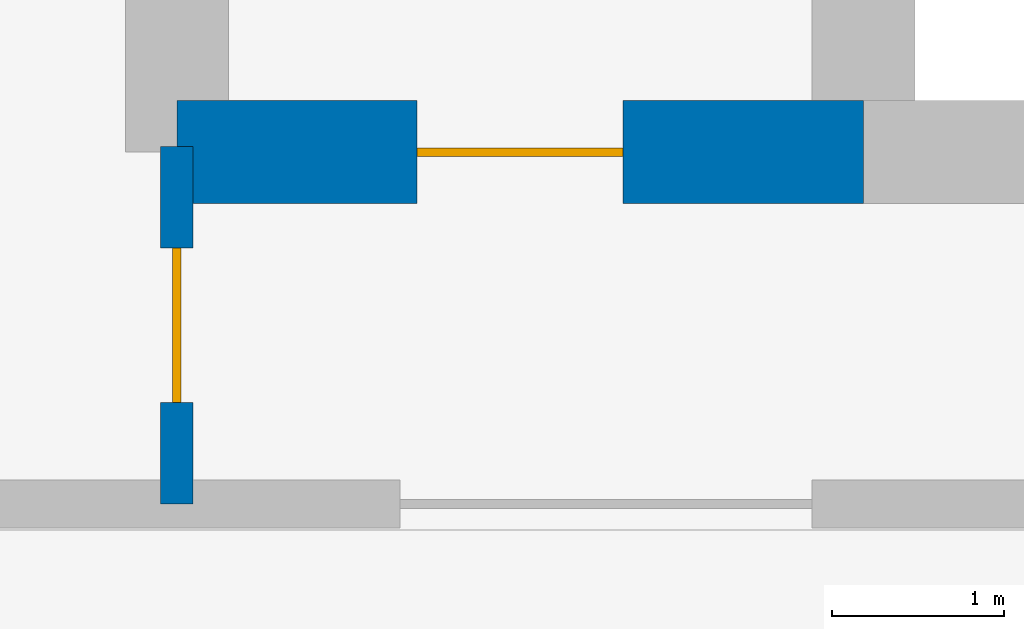
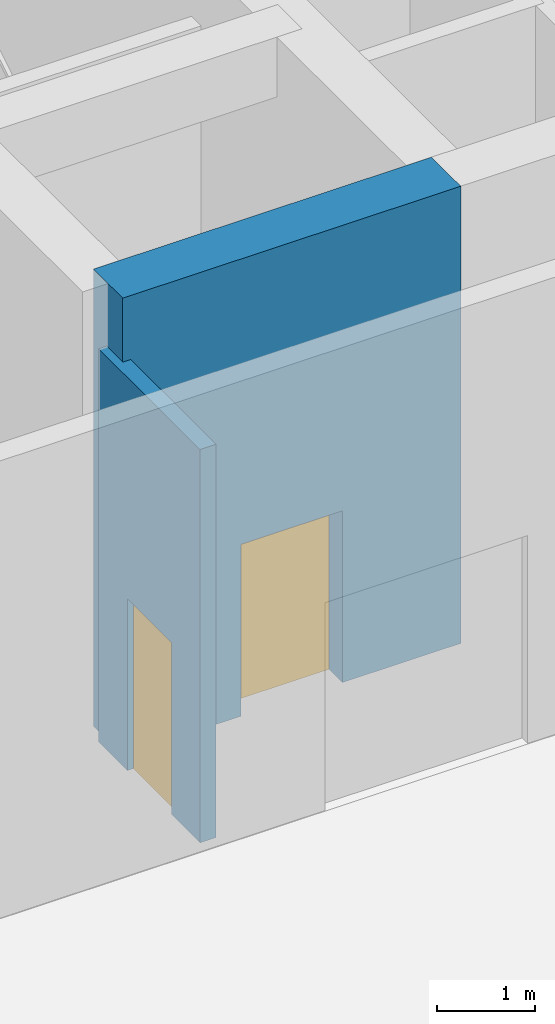
# One storey, part 35 of 49: 2 doors, 2 walls, 2 openings.
"""IFC4 building model written with IfcOpenShell, lengths in metres."""

import ifcopenshell
import ifcopenshell.guid

model = None  # the IFC model being written
_history = None  # IfcOwnerHistory: only IFC2X3 demands one
_inside = {}  # id of a spatial element -> (the spatial element, [elements in it])
_under = {}  # id of a project, library or spatial element -> (it, [spatial elements below it])
_declared = {}  # id of a project -> (the project, [libraries it declares])
_typed = {}  # id of a type object -> (the type object, [elements of that type])
_made_of = {}  # id of a material, layer set ... -> (it, [elements and type objects made of it])


def new_model(schema):
    """Start an empty IFC model of exactly this schema.

    Asked for "IFC4X3", IfcOpenShell would pick the latest addendum, in which some entities
    have other attributes; the version numbers below select the first issue.
    IFC2X3 requires an IfcOwnerHistory on every rooted entity: one is made here for all.
    """
    global model, _history
    if schema == "IFC4X3":
        model = ifcopenshell.file(schema_version=(4, 3, 0, 0))
    else:
        model = ifcopenshell.file(schema=schema)
    _inside.clear()
    _under.clear()
    _declared.clear()
    _typed.clear()
    _made_of.clear()
    _history = None
    if model.schema == "IFC2X3":
        org = make("IfcOrganization", Name="unknown")
        user = make(
            "IfcPersonAndOrganization",
            ThePerson=make("IfcPerson", FamilyName="unknown"),
            TheOrganization=org,
        )
        app = make(
            "IfcApplication",
            ApplicationDeveloper=org,
            Version="unknown",
            ApplicationFullName="unknown",
            ApplicationIdentifier="unknown",
        )
        _history = make(
            "IfcOwnerHistory",
            OwningUser=user,
            OwningApplication=app,
            ChangeAction="ADDED",
            CreationDate=0,
        )
    return model


def make(cls, **values):
    """One entity of the class cls with the attributes given. An attribute that is None is left unset."""
    return model.create_entity(
        cls, **{name: value for name, value in values.items() if value is not None}
    )


def rooted(cls, **values):
    """An entity with a GlobalId (a new one), such as an element, a storey or a relation."""
    return make(cls, GlobalId=ifcopenshell.guid.new(), OwnerHistory=_history, **values)


def si_unit(unit_type, name, prefix=None):
    """IfcSIUnit, for example si_unit("LENGTHUNIT", "METRE", prefix="MILLI")."""
    return make("IfcSIUnit", UnitType=unit_type, Prefix=prefix, Name=name)


def assignment(units):
    """IfcUnitAssignment: the units of a project."""
    return None if units is None else make("IfcUnitAssignment", Units=units)


def point(xyz):
    """IfcCartesianPoint."""
    return None if xyz is None else make("IfcCartesianPoint", Coordinates=xyz)


def direction(xyz):
    """IfcDirection."""
    return None if xyz is None else make("IfcDirection", DirectionRatios=xyz)


def frame(location, z_axis=None, x_axis=None):
    """IfcAxis2Placement3D, a coordinate frame: its origin and axes. An axis left out is left unset."""
    return make(
        "IfcAxis2Placement3D",
        Location=point(location),
        Axis=direction(z_axis),
        RefDirection=direction(x_axis),
    )


def frame_2d(location, x_axis=None):
    """IfcAxis2Placement2D, a coordinate frame in the plane: its origin and x axis."""
    return make(
        "IfcAxis2Placement2D", Location=point(location), RefDirection=direction(x_axis)
    )


def origin():
    """The frame at (0, 0, 0) with its axes left unset."""
    return frame((0.0, 0.0, 0.0))


def place(relative_to, where):
    """IfcLocalPlacement: puts the frame where relative to a parent placement (None: the world)."""
    return make(
        "IfcLocalPlacement", PlacementRelTo=relative_to, RelativePlacement=where
    )


def context(
    kind, dimensions, precision=None, world=None, true_north=None, identifier=None
):
    """IfcGeometricRepresentationContext, for example the 3D "Model" context."""
    return make(
        "IfcGeometricRepresentationContext",
        ContextIdentifier=identifier,
        ContextType=kind,
        CoordinateSpaceDimension=dimensions,
        Precision=precision,
        WorldCoordinateSystem=world,
        TrueNorth=true_north,
    )


def subcontext(parent, identifier, kind, view, scale=None):
    """IfcGeometricRepresentationSubContext, for example "Body" below "Model"."""
    return make(
        "IfcGeometricRepresentationSubContext",
        ContextIdentifier=identifier,
        ContextType=kind,
        ParentContext=parent,
        TargetScale=scale,
        TargetView=view,
    )


def project(units=None, contexts=None):
    """IfcProject with its units and contexts."""
    return rooted(
        "IfcProject",
        Name="project",
        RepresentationContexts=contexts,
        UnitsInContext=assignment(units),
    )


def spatial(cls, under=None, at=None, **own):
    """A site, building, storey or space (cls), placed at a placement, below another one or the project."""
    s = rooted(cls, ObjectPlacement=at, **own)
    if under is not None:
        _under.setdefault(under.id(), (under, []))[1].append(s)
    return s


def profile(cls, at=None, kind="AREA", **sizes):
    """A parametric profile (cls). Its sizes go by their IFC names, for example OverallWidth=200.0."""
    return make(cls, ProfileType=kind, Position=at, **sizes)


def rectangle(**sizes):
    """IfcRectangleProfileDef."""
    return profile("IfcRectangleProfileDef", **sizes)


def extrude(swept, where, along, depth):
    """IfcExtrudedAreaSolid: the profile swept, set in the frame where, extruded along a direction by depth."""
    return make(
        "IfcExtrudedAreaSolid",
        SweptArea=swept,
        Position=where,
        ExtrudedDirection=direction(along),
        Depth=depth,
    )


def shape(context_of_items, identifier, shape_type, items):
    """IfcShapeRepresentation: the items that make up one representation, for example the "Body"."""
    return make(
        "IfcShapeRepresentation",
        ContextOfItems=context_of_items,
        RepresentationIdentifier=identifier,
        RepresentationType=shape_type,
        Items=items,
    )


def material(Name=None, Category=None):
    """IfcMaterial."""
    return make("IfcMaterial", Name=Name, Category=Category)


def layer(
    of_material, thickness, ventilated=None, Name=None, Category=None, Priority=None
):
    """IfcMaterialLayer: one layer of a wall or slab, of a material (None: an air gap)."""
    return make(
        "IfcMaterialLayer",
        Material=of_material,
        LayerThickness=thickness,
        IsVentilated=ventilated,
        Name=Name,
        Category=Category,
        Priority=Priority,
    )


def layer_set(layers, Name=None):
    """IfcMaterialLayerSet."""
    return make("IfcMaterialLayerSet", MaterialLayers=layers, LayerSetName=Name)


def made_of(thing, what):
    """Note that an element or type object is made of a material, layer set ...; save() writes the relation."""
    if what is not None:
        _made_of.setdefault(what.id(), (what, []))[1].append(thing)
    return thing


def type_object(cls, material=None, **own):
    """A type object (cls), such as IfcWallType, which elements share."""
    return made_of(rooted(cls, **own), material)


def element(
    cls,
    number,
    at=None,
    inside=None,
    cuts=None,
    type_object=None,
    material=None,
    context=None,
    identifier="Body",
    shape_type=None,
    held_by="IfcProductDefinitionShape",
    body=None,
    shapes=None,
    **own,
):
    """One element of the class cls, such as IfcWall. Its Tag is "e" and its number.

    at: its placement. inside: the storey or other place that contains it. cuts: it is an
    opening in that element (IfcRelVoidsElement). A single representation is given by context,
    identifier, shape_type and body (its items); several are given by shapes. held_by: the class
    of the entity that holds the representations. save() writes the other relations.
    """
    e = rooted(cls, Tag="e%d" % number, ObjectPlacement=at, **own)
    if body is not None:
        shapes = [shape(context, identifier, shape_type, body)]
    if shapes is not None:
        e.Representation = make(held_by, Representations=shapes)
    if inside is not None:
        _inside.setdefault(inside.id(), (inside, []))[1].append(e)
    if cuts is not None:
        rooted(
            "IfcRelVoidsElement", RelatingBuildingElement=cuts, RelatedOpeningElement=e
        )
    if type_object is not None:
        _typed.setdefault(type_object.id(), (type_object, []))[1].append(e)
    return made_of(e, material)


def fill(opening, filler):
    """IfcRelFillsElement: the door or window that sits in an opening."""
    return rooted(
        "IfcRelFillsElement",
        RelatingOpeningElement=opening,
        RelatedBuildingElement=filler,
    )


def aggregate(whole, parts):
    """IfcRelAggregates: a whole, such as a stair, and the parts it consists of."""
    return rooted("IfcRelAggregates", RelatingObject=whole, RelatedObjects=parts)


def save(model, path):
    """Write the relations noted so far, then the file.

    IfcRelAggregates (storeys below a building ...), IfcRelContainedInSpatialStructure (elements
    in a storey), IfcRelDefinesByType, IfcRelAssociatesMaterial and IfcRelDeclares: one each for
    every whole, place, type object, material and project.
    """
    for whole, parts in _under.values():
        aggregate(whole, parts)
    for where, things in _inside.values():
        rooted(
            "IfcRelContainedInSpatialStructure",
            RelatedElements=things,
            RelatingStructure=where,
        )
    for kind, things in _typed.values():
        rooted("IfcRelDefinesByType", RelatedObjects=things, RelatingType=kind)
    for what, things in _made_of.values():
        rooted("IfcRelAssociatesMaterial", RelatedObjects=things, RelatingMaterial=what)
    for by, libraries in _declared.values():
        rooted("IfcRelDeclares", RelatingContext=by, RelatedDefinitions=libraries)
    model.write(path)


model = new_model("IFC4")

# Units and contexts
model_context = context("Model", 3, precision=1e-05, world=origin(), true_north=direction((0.0, 1.0)))
body_context = subcontext(model_context, "Body", "Model", "MODEL_VIEW")
ifc_project = project(units=[si_unit("LENGTHUNIT", "METRE"), si_unit("AREAUNIT", "SQUARE_METRE"), si_unit("VOLUMEUNIT", "CUBIC_METRE"), si_unit("PLANEANGLEUNIT", "RADIAN"), si_unit("MASSUNIT", "GRAM", prefix="KILO")], contexts=[model_context])

# Site, building, storey
site_placement = place(None, origin())
site = spatial("IfcSite", under=ifc_project, at=site_placement, CompositionType="ELEMENT")
building_placement = place(site_placement, origin())
building = spatial("IfcBuilding", under=site, at=building_placement, Name="Sarneth Arch Tower", CompositionType="ELEMENT")
storey_placement = place(building_placement, origin())
storey = spatial("IfcBuildingStorey", under=building, at=storey_placement, Name="L00", CompositionType="ELEMENT", Elevation=0.0)

# Wall, opening, door
ifc_material_1 = material(Name="Concrete C60/75", Category="concrete")
ifc_layer_1 = layer(ifc_material_1, 0.60009765625)
ifc_layer_set_1 = layer_set([ifc_layer_1], Name="Concrete C60/75")
wall_type_1 = type_object("IfcWallType", Name="WALL-CORE-600", PredefinedType="SHEAR", material=ifc_layer_set_1)
wall_1_placement = place(storey_placement, frame((37.0, 35.199951171875, 0.0), z_axis=(0.0, 0.0, 1.0), x_axis=(1.0, 0.0, 0.0)))
wall_1 = element("IfcWall", 1, at=wall_1_placement, inside=storey, type_object=wall_type_1, Name="L00 Core shear wall S-W", PredefinedType="SHEAR", context=body_context, shape_type="SweptSolid", body=[
    extrude(rectangle(XDim=4.0, YDim=0.60009765625, at=frame_2d((2.0, 0.0))), origin(), (0.0, 0.0, 1.0), 5.719970703125),
])
opening_1_placement = place(wall_1_placement, frame((1.39990234375, 0.0, 0.0)))
opening_1 = element("IfcOpeningElement", 2, at=opening_1_placement, cuts=wall_1, Name="Opening FD-02", PredefinedType="OPENING", context=body_context, shape_type="SweptSolid", body=[
    extrude(rectangle(XDim=1.199951171875, YDim=2.14990234375, at=frame_2d((0.60009765625, 1.074951171875))), frame((0.0, 0.31005859375, 0.0), z_axis=(0.0, -1.0, 0.0), x_axis=(1.0, 0.0, 0.0)), (0.0, 0.0, 1.0), 0.6201171875),
])
ifc_material_2 = material(Name="Galvanised Steel S275 fire door set", Category="steel")
door_type_1 = type_object("IfcDoorType", Name="DR-FD90-1200", OperationType="SINGLE_SWING_LEFT", PredefinedType="DOOR", material=ifc_material_2)
door_1_placement = place(opening_1_placement, origin())
door_1 = element("IfcDoor", 3, at=door_1_placement, inside=storey, type_object=door_type_1, Name="L00 Firefighting lobby 1 exit door", OperationType="SINGLE_SWING_LEFT", OverallHeight=2.14990234375, OverallWidth=1.199951171875, PredefinedType="DOOR", context=body_context, shape_type="SweptSolid", body=[
    extrude(rectangle(XDim=1.199951171875, YDim=2.14990234375, at=frame_2d((0.60009765625, 1.074951171875))), frame((0.0, 0.02490234375, 0.0), z_axis=(0.0, -1.0, 0.0), x_axis=(1.0, 0.0, 0.0)), (0.0, 0.0, 1.0), 0.050048828125),
])
fill(opening_1, door_1)

ifc_material_3 = material(Name="Double steel-stud corridor fire wall", Category="steel")
ifc_layer_2 = layer(ifc_material_3, 0.18994140625)
ifc_layer_set_2 = layer_set([ifc_layer_2], Name="Double steel-stud corridor fire wall")
wall_type_2 = type_object("IfcWallType", Name="WALL-CORR-190", PredefinedType="PARTITIONING", material=ifc_layer_set_2)
wall_2_placement = place(storey_placement, frame((37.0, 35.23193359375, 0.0), z_axis=(0.0, 0.0, 1.0), x_axis=(0.0, -1.0, 0.0)))
wall_2 = element("IfcWall", 4, at=wall_2_placement, inside=storey, type_object=wall_type_2, Name="L00 Interior partition W-L00N-TP-001", PredefinedType="PARTITIONING", context=body_context, shape_type="SweptSolid", body=[
    extrude(rectangle(XDim=2.08203125, YDim=0.18994140625, at=frame_2d((1.041015625, 0.0))), origin(), (0.0, 0.0, 1.0), 4.919921875),
])
opening_2_placement = place(wall_2_placement, frame((0.591064453125, 0.0, 0.0)))
opening_2 = element("IfcOpeningElement", 5, at=opening_2_placement, cuts=wall_2, Name="Opening FD-10", PredefinedType="OPENING", context=body_context, shape_type="SweptSolid", body=[
    extrude(rectangle(XDim=0.89990234375, YDim=2.14990234375, at=frame_2d((0.449951171875, 1.074951171875))), frame((0.0, 0.10498046875, 0.0), z_axis=(0.0, -1.0, 0.0), x_axis=(1.0, 0.0, 0.0)), (0.0, 0.0, 1.0), 0.2099609375),
])
ifc_material_4 = material(Name="Galvanised Steel S275 riser/service fire door", Category="steel")
door_type_2 = type_object("IfcDoorType", Name="DR-FD60-900", OperationType="SINGLE_SWING_LEFT", PredefinedType="DOOR", material=ifc_material_4)
door_2_placement = place(opening_2_placement, origin())
door_2 = element("IfcDoor", 6, at=door_2_placement, inside=storey, type_object=door_type_2, Name="L00 Interior door DR-L00-EXITC1", OperationType="SINGLE_SWING_LEFT", OverallHeight=2.14990234375, OverallWidth=0.89990234375, PredefinedType="DOOR", context=body_context, shape_type="SweptSolid", body=[
    extrude(rectangle(XDim=0.89990234375, YDim=2.14990234375, at=frame_2d((0.449951171875, 1.074951171875))), frame((0.0, 0.02490234375, 0.0), z_axis=(0.0, -1.0, 0.0), x_axis=(1.0, 0.0, 0.0)), (0.0, 0.0, 1.0), 0.050048828125),
])
fill(opening_2, door_2)

save(model, "model.ifc")
